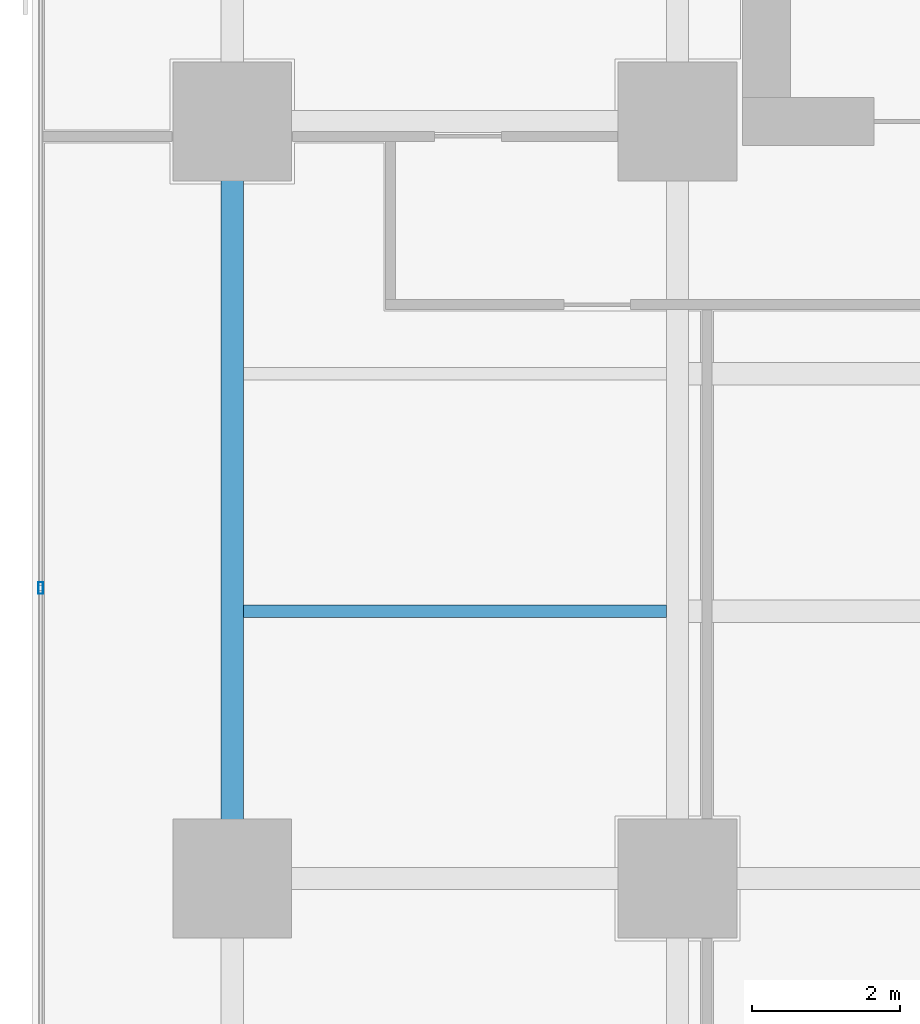
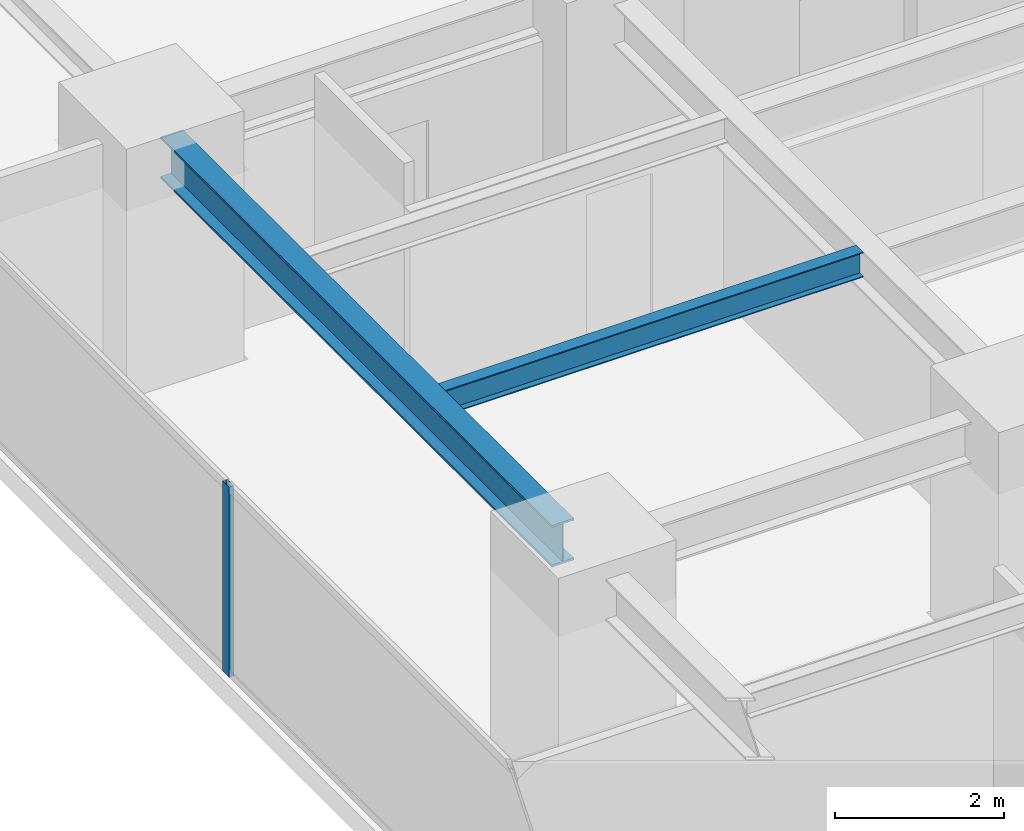
# One storey, part 10 of 36: 2 beams, 1 member, 1 element without a shape of its own.
"""IFC4 building model written with IfcOpenShell, lengths in metres."""

from ifc_helpers import new_model, si_unit, direction, frame, origin, origin_2d, place, context, subcontext, project, spatial, hollow_rectangle, i_section, extrude, source, transform, mapped, material, layer, layer_set, material_profile, profile_set, type_object, element, aggregate, save


model = new_model("IFC4")

# Units and contexts
model_context = context("Model", 3, precision=1e-05, world=origin(), true_north=direction((0.0, 1.0)))
body_context = subcontext(model_context, "Body", "Model", "MODEL_VIEW")
ifc_project = project(units=[si_unit("LENGTHUNIT", "METRE"), si_unit("AREAUNIT", "SQUARE_METRE"), si_unit("VOLUMEUNIT", "CUBIC_METRE"), si_unit("PLANEANGLEUNIT", "RADIAN"), si_unit("MASSUNIT", "GRAM", prefix="KILO")], contexts=[model_context])

# Site, building, storey
site_placement = place(None, origin())
site = spatial("IfcSite", under=ifc_project, at=site_placement, CompositionType="ELEMENT")
building_placement = place(site_placement, origin())
building = spatial("IfcBuilding", under=site, at=building_placement, Name="Sumidabori Civic Tower", CompositionType="ELEMENT")
storey_placement = place(building_placement, frame((0.0, 0.0, 77.60009765625)))
storey = spatial("IfcBuildingStorey", under=building, at=storey_placement, Name="L19", CompositionType="ELEMENT", Elevation=77.60009765625)

# Beams
ifc_material_1 = material(Name="Steel SN490", Category="steel")
ifc_material_profile_1 = material_profile(ifc_material_1, i_section(OverallWidth=0.300048828125, OverallDepth=0.60009765625, WebThickness=0.015380859375, FlangeThickness=0.030029296875, at=origin_2d()), Name="HE 600 B")
ifc_profile_set_1 = profile_set([ifc_material_profile_1], Name="Steel SN490")
beam_type_1 = type_object("IfcBeamType", Name="BM-GIRD-600", PredefinedType="BEAM", material=ifc_profile_set_1)
shared_shape_1 = source(origin(), body_context, "Body", "SweptSolid", [
    extrude(i_section(OverallWidth=0.300048828125, OverallDepth=0.60009765625, WebThickness=0.015380859375, FlangeThickness=0.030029296875, at=origin_2d()), origin(), (0.0, 0.0, 1.0), 9.239990234375),
])
beam_1_placement = place(storey_placement, frame((-22.800048828125, 0.47998046875, 3.059814453125), z_axis=(0.0, 1.0, 0.0), x_axis=(-1.0, 0.0, 0.0)))
element("IfcBeam", 1, at=beam_1_placement, inside=storey, type_object=beam_type_1, Name="Primary Girder L19 GY-23", PredefinedType="BEAM", context=body_context, shape_type="MappedRepresentation", body=[
    mapped(shared_shape_1, transform((0.0, 0.0, 0.0), x_axis=(1.0, 0.0, 0.0), y_axis=(0.0, 1.0, 0.0), z_axis=(0.0, 0.0, 1.0), scale=1.0)),
])
ifc_material_profile_2 = material_profile(ifc_material_1, i_section(OverallWidth=0.169921875, OverallDepth=0.360107421875, WebThickness=0.008056640625, FlangeThickness=0.0126953125, at=origin_2d()), Name="IPE 360")
ifc_profile_set_2 = profile_set([ifc_material_profile_2], Name="Steel SN490")
beam_type_2 = type_object("IfcBeamType", Name="BM-JST-360", PredefinedType="JOIST", material=ifc_profile_set_2)
shared_shape_2 = source(origin(), body_context, "Body", "SweptSolid", [
    extrude(i_section(OverallWidth=0.169921875, OverallDepth=0.360107421875, WebThickness=0.008056640625, FlangeThickness=0.0126953125, at=origin_2d()), origin(), (0.0, 0.0, 1.0), 5.699951171875),
])
beam_2_placement = place(storey_placement, frame((-22.64990234375, 3.60009765625, 3.179931640625), z_axis=(1.0, 0.0, 0.0), x_axis=(0.0, 1.0, 0.0)))
element("IfcBeam", 2, at=beam_2_placement, inside=storey, type_object=beam_type_2, Name="Outer Bay Floor Joist L19 JSTO-47", PredefinedType="JOIST", context=body_context, shape_type="MappedRepresentation", body=[
    mapped(shared_shape_2, transform((0.0, 0.0, 0.0), x_axis=(1.0, 0.0, 0.0), y_axis=(0.0, 1.0, 0.0), z_axis=(0.0, 0.0, 1.0), scale=1.0)),
])

# Curtain wall, member
ifc_material_2 = material(Name="Anodised Bronze Aluminium AW-6063-T6", Category="aluminium")
ifc_layer = layer(ifc_material_2, 0.179931640625, Name="Anodised Bronze Aluminium AW-6063-T6")
ifc_layer_set = layer_set([ifc_layer], Name="Anodised Bronze Aluminium AW-6063-T6")
curtain_wall_type = type_object("IfcCurtainWallType", Name="CW-SYS-3", PredefinedType="NOTDEFINED", material=ifc_layer_set)
curtain_wall_placement = place(storey_placement, origin())
curtain_wall = element("IfcCurtainWall", 3, at=curtain_wall_placement, inside=storey, type_object=curtain_wall_type, Name="Curtain Wall CW:L19:R10", PredefinedType="NOTDEFINED")
ifc_material_profile_3 = material_profile(ifc_material_2, hollow_rectangle(XDim=0.06494140625, YDim=0.159912109375, WallThickness=0.0048828125, at=origin_2d()), Name="ALU MULLION 160x65")
ifc_profile_set_3 = profile_set([ifc_material_profile_3], Name="Anodised Bronze Aluminium AW-6063-T6")
member_type = type_object("IfcMemberType", Name="CW-MUL-160", PredefinedType="MULLION", material=ifc_profile_set_3)
shared_shape_3 = source(origin(), body_context, "Body", "SweptSolid", [
    extrude(hollow_rectangle(XDim=0.06494140625, YDim=0.159912109375, WallThickness=0.0048828125, at=origin_2d()), origin(), (0.0, 0.0, 1.0), 2.739990234375),
])
member_placement = place(storey_placement, frame((-25.3798828125, 3.9140625, 0.0), z_axis=(0.0, 0.0, 1.0), x_axis=(1.0, 0.0, 0.0)))
member = element("IfcMember", 4, at=member_placement, type_object=member_type, Name="CW-3 mullion 3", PredefinedType="MULLION", context=body_context, shape_type="MappedRepresentation", body=[
    mapped(shared_shape_3, transform((0.0, 0.0, 0.0), x_axis=(1.0, 0.0, 0.0), y_axis=(0.0, 1.0, 0.0), z_axis=(0.0, 0.0, 1.0), scale=1.0)),
])
aggregate(curtain_wall, [member])

save(model, "model.ifc")
